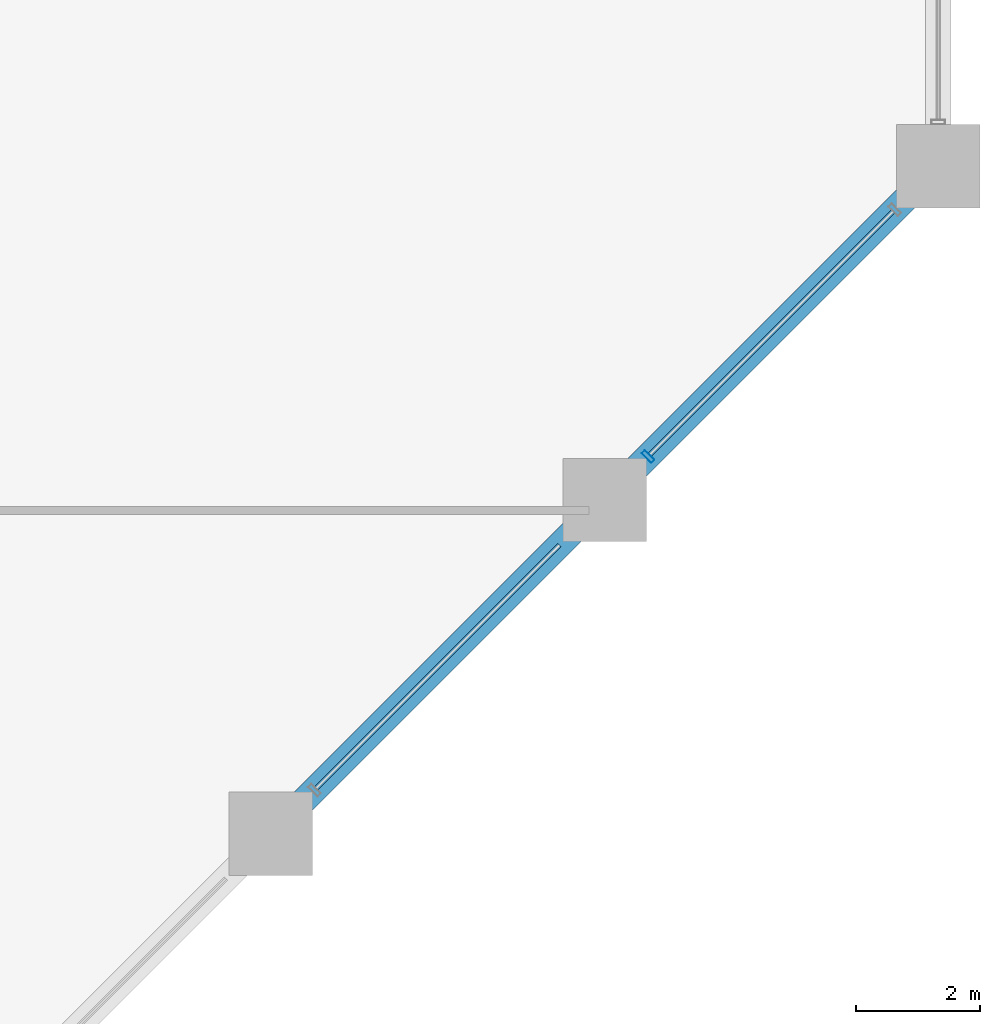
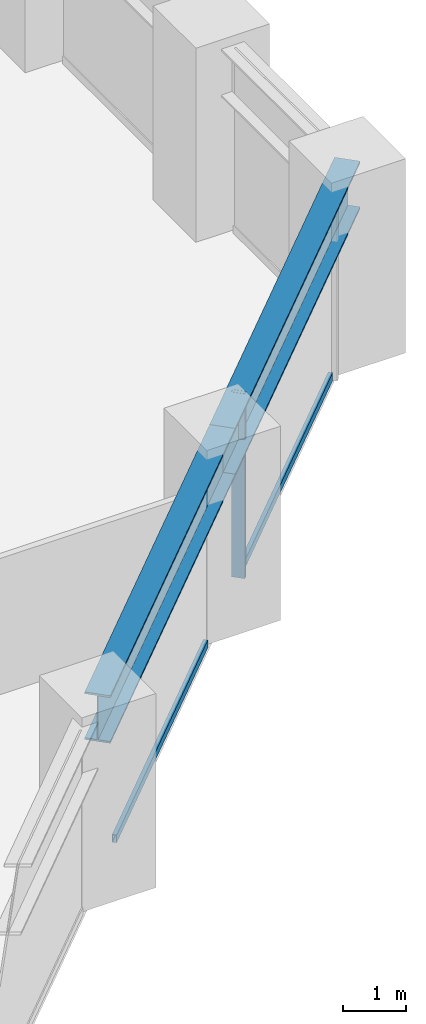
# One storey, part 9 of 25: 3 members, 2 beams, 1 element without a shape of its own.
"""IFC4 building model written with IfcOpenShell, lengths in metres."""

from ifc_helpers import new_model, si_unit, direction, frame, origin, origin_2d, place, context, subcontext, project, spatial, hollow_rectangle, i_section, extrude, material, layer, layer_set, material_profile, profile_set, type_object, element, aggregate, save


model = new_model("IFC4")

# Units and contexts
model_context = context("Model", 3, precision=1e-05, world=origin(), true_north=direction((0.0, 1.0)))
body_context = subcontext(model_context, "Body", "Model", "MODEL_VIEW")
ifc_project = project(units=[si_unit("LENGTHUNIT", "METRE"), si_unit("AREAUNIT", "SQUARE_METRE"), si_unit("VOLUMEUNIT", "CUBIC_METRE"), si_unit("PLANEANGLEUNIT", "RADIAN"), si_unit("MASSUNIT", "GRAM", prefix="KILO")], contexts=[model_context])

# Site, building, storey
site_placement = place(None, origin())
site = spatial("IfcSite", under=ifc_project, at=site_placement, CompositionType="ELEMENT")
building_placement = place(site_placement, origin())
building = spatial("IfcBuilding", under=site, at=building_placement, Name="Surkhivell Harbour Commons", CompositionType="ELEMENT")
storey_placement = place(building_placement, frame((0.0, 0.0, 33.75)))
storey = spatial("IfcBuildingStorey", under=building, at=storey_placement, Name="L08", CompositionType="ELEMENT", Elevation=33.75)

# Beams
ifc_material_1 = material(Name="Steel S460", Category="steel")
ifc_material_profile_1 = material_profile(ifc_material_1, i_section(OverallWidth=0.419921875, OverallDepth=0.9208984375, WebThickness=0.021484375, FlangeThickness=0.03662109375, at=origin_2d()), Name="UB914x419x388")
ifc_profile_set_1 = profile_set([ifc_material_profile_1], Name="Steel S460")
beam_type = type_object("IfcBeamType", Name="BM-SPN-914A", PredefinedType="SPANDREL", material=ifc_profile_set_1)
for number, where, z_axis, x_axis, name in (
    (1, (21.60009765625, -4.300048828125, 3.109619140625), (0.707090796496, 0.707122765516, 0.0), (-0.707122765516, 0.707090796496, 0.0), "L08 Tube Spandrel (21.6,-4.3)"),
    (2, (27.0, 1.10009765625, 3.109619140625), (0.707106781187, 0.707106781187, 0.0), (-0.707106781187, 0.707106781187, 0.0), "L08 Tube Spandrel (27.0,1.1)"),
):
    element("IfcBeam", number, at=place(storey_placement, frame(where, z_axis=z_axis, x_axis=x_axis)), inside=storey, type_object=beam_type, Name=name, PredefinedType="SPANDREL", context=body_context, shape_type="SweptSolid", body=[
        extrude(i_section(OverallWidth=0.419921875, OverallDepth=0.9208984375, WebThickness=0.021484375, FlangeThickness=0.03662109375, at=origin_2d()), origin(), (0.0, 0.0, 1.0), 7.63671875),
    ])

# Curtain wall, members
ifc_material_2 = material(Name="Anodised pale-metal aluminium and insulated glazing", Category="aluminium")
ifc_layer = layer(ifc_material_2, 0.219970703125)
ifc_layer_set = layer_set([ifc_layer], Name="Anodised pale-metal aluminium and insulated glazing")
curtain_wall_type = type_object("IfcCurtainWallType", Name="CW-SYS-Z1", PredefinedType="NOTDEFINED", material=ifc_layer_set)
curtain_wall_placement = place(storey_placement, origin())
curtain_wall = element("IfcCurtainWall", 3, at=curtain_wall_placement, inside=storey, type_object=curtain_wall_type, Name="L08 Curtain Wall CW-L08-E01", PredefinedType="NOTDEFINED")
ifc_material_3 = material(Name="Anodised pale-metal aluminium alloy 6063-T6", Category="aluminium")
ifc_material_profile_2 = material_profile(ifc_material_3, hollow_rectangle(XDim=0.074951171875, YDim=0.219970703125, WallThickness=0.00390625, at=origin_2d()), Name="ALU-MULL-75x220")
ifc_profile_set_2 = profile_set([ifc_material_profile_2], Name="Anodised pale-metal aluminium alloy 6063-T6")
member_type_1 = type_object("IfcMemberType", Name="CWM-220", PredefinedType="MULLION", material=ifc_profile_set_2)
member_1_placement = place(storey_placement, frame((27.703369140625, 1.80322265625, 0.0), z_axis=(0.0, 0.0, 1.0), x_axis=(0.707106781187, 0.707106781187, 0.0)))
member_1 = element("IfcMember", 4, at=member_1_placement, type_object=member_type_1, Name="CW-Z1 mullion 6", PredefinedType="MULLION", context=body_context, shape_type="SweptSolid", body=[
    extrude(hollow_rectangle(XDim=0.074951171875, YDim=0.219970703125, WallThickness=0.00390625, at=origin_2d()), origin(), (0.0, 0.0, 1.0), 3.570068359375),
])
ifc_material_profile_3 = material_profile(ifc_material_3, hollow_rectangle(XDim=0.074951171875, YDim=0.14990234375, WallThickness=0.00341796875, at=origin_2d()), Name="ALU-TRAN-75x150")
ifc_profile_set_3 = profile_set([ifc_material_profile_3], Name="Anodised pale-metal aluminium alloy 6063-T6")
member_type_2 = type_object("IfcMemberType", Name="CWT-150", PredefinedType="USERDEFINED", material=ifc_profile_set_3)
member_2_placement = place(storey_placement, frame((22.329833984375, -3.570068359375, 0.074951171875), z_axis=(0.70712868694, 0.707084874754, 0.0), x_axis=(-0.707084874754, 0.70712868694, 0.0)))
member_2 = element("IfcMember", 5, at=member_2_placement, type_object=member_type_2, Name="CW-Z1 transom 5.1", ObjectType="TRANSOM", PredefinedType="USERDEFINED", context=body_context, shape_type="SweptSolid", body=[
    extrude(hollow_rectangle(XDim=0.074951171875, YDim=0.14990234375, WallThickness=0.00341796875, at=origin_2d()), origin(), (0.0, 0.0, 1.0), 5.572509765625),
])
member_3_placement = place(storey_placement, frame((27.729736328125, 1.829833984375, 0.074951171875), z_axis=(0.707106781187, 0.707106781187, 0.0), x_axis=(-0.707106781187, 0.707106781187, 0.0)))
member_3 = element("IfcMember", 6, at=member_3_placement, type_object=member_type_2, Name="CW-Z1 transom 6.1", ObjectType="TRANSOM", PredefinedType="USERDEFINED", context=body_context, shape_type="SweptSolid", body=[
    extrude(hollow_rectangle(XDim=0.074951171875, YDim=0.14990234375, WallThickness=0.00341796875, at=origin_2d()), origin(), (0.0, 0.0, 1.0), 5.572509765625),
])
aggregate(curtain_wall, [member_2, member_1, member_3])

save(model, "model.ifc")
